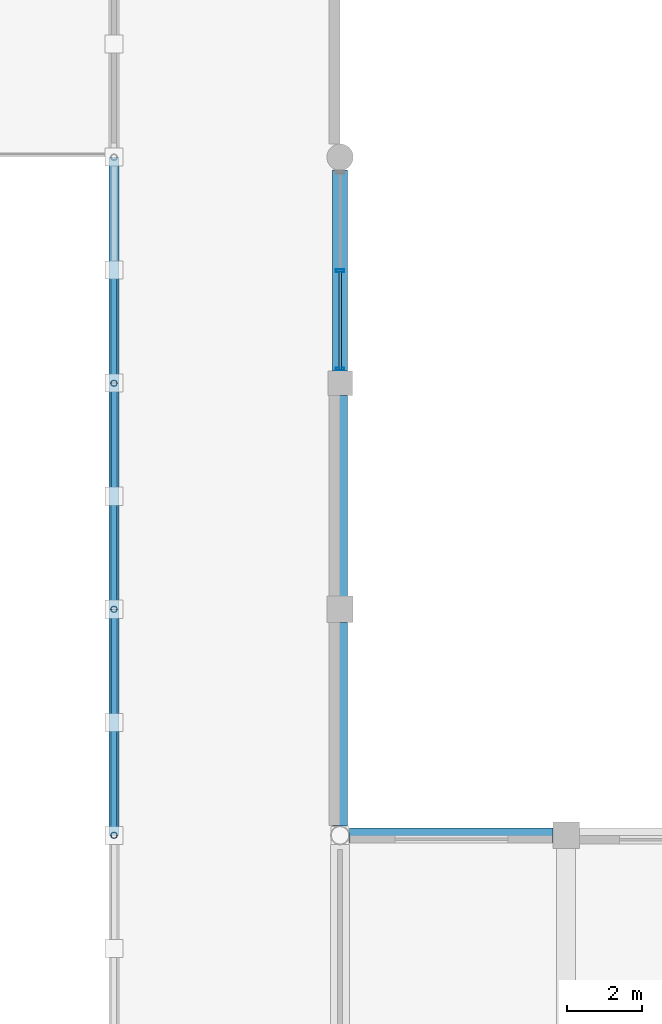
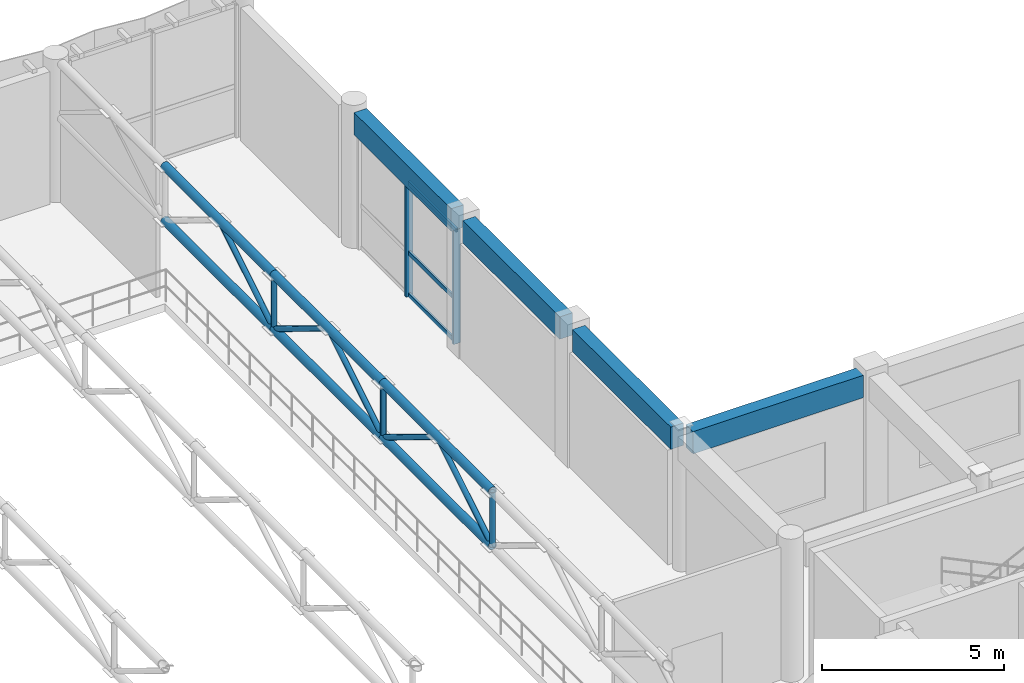
# One storey, part 45 of 123: 19 members, 4 beams, 1 element without a shape of its own.
"""IFC4 building model written with IfcOpenShell, lengths in metres."""

from ifc_helpers import new_model, si_unit, direction, frame, origin, origin_2d, place, context, subcontext, project, spatial, rectangle, hollow_rectangle, hollow_circle, extrude, material, material_profile, profile_set, type_object, element, aggregate, save


model = new_model("IFC4")

# Units and contexts
model_context = context("Model", 3, precision=1e-05, world=origin(), true_north=direction((0.0, 1.0)))
body_context = subcontext(model_context, "Body", "Model", "MODEL_VIEW")
ifc_project = project(units=[si_unit("LENGTHUNIT", "METRE"), si_unit("AREAUNIT", "SQUARE_METRE"), si_unit("VOLUMEUNIT", "CUBIC_METRE"), si_unit("PLANEANGLEUNIT", "RADIAN"), si_unit("MASSUNIT", "GRAM", prefix="KILO"), si_unit("THERMODYNAMICTEMPERATUREUNIT", "KELVIN"), si_unit("POWERUNIT", "WATT")], contexts=[model_context])

# Site, building, storey
site_placement = place(None, origin())
site = spatial("IfcSite", under=ifc_project, at=site_placement, CompositionType="ELEMENT")
building_placement = place(site_placement, origin())
building = spatial("IfcBuilding", under=site, at=building_placement, Name="Phaisarnlok Congress Hotel", CompositionType="ELEMENT")
storey_placement = place(building_placement, frame((0.0, 0.0, 15.0)))
storey = spatial("IfcBuildingStorey", under=building, at=storey_placement, Name="L03", CompositionType="ELEMENT", Elevation=15.0)

# Curtain wall, members
ifc_material_1 = material(Name="Thermally Broken Unitised Aluminium & Low-E Glazing", Category="aluminium")
curtain_wall_type = type_object("IfcCurtainWallType", Name="CW-UNIT-27", PredefinedType="NOTDEFINED", material=ifc_material_1)
curtain_wall_placement = place(storey_placement, origin())
curtain_wall = element("IfcCurtainWall", 1, at=curtain_wall_placement, inside=storey, type_object=curtain_wall_type, Name="Unitised curtain wall CW-27 (L03)", PredefinedType="NOTDEFINED")
ifc_material_2 = material(Name="Anodised Aluminium Alloy 6063-T6", Category="aluminium")
ifc_material_profile_1 = material_profile(ifc_material_2, hollow_rectangle(XDim=0.074951171875, YDim=0.219970703125, WallThickness=0.0048828125, at=origin_2d()), Name="ALU-M 75x220x5")
ifc_profile_set_1 = profile_set([ifc_material_profile_1], Name="Anodised Aluminium Alloy 6063-T6")
member_type_1 = type_object("IfcMemberType", Name="CWM-220", PredefinedType="MULLION", material=ifc_profile_set_1)
member_1_placement = place(storey_placement, frame((42.0, 108.375, 0.0), z_axis=(0.0, 0.0, 1.0), x_axis=(0.0, 1.0, 0.0)))
member_1 = element("IfcMember", 2, at=member_1_placement, type_object=member_type_1, Name="Curtain wall mullion CWM-02", PredefinedType="MULLION", context=body_context, shape_type="SweptSolid", body=[
    extrude(hollow_rectangle(XDim=0.074951171875, YDim=0.219970703125, WallThickness=0.0048828125, at=origin_2d()), origin(), (0.0, 0.0, 1.0), 3.844970703125),
])
member_2_placement = place(storey_placement, frame((42.0, 110.987548828125, 0.0), z_axis=(0.0, 0.0, 1.0), x_axis=(0.0, 1.0, 0.0)))
member_2 = element("IfcMember", 3, at=member_2_placement, type_object=member_type_1, Name="Curtain wall mullion CWM-02", PredefinedType="MULLION", context=body_context, shape_type="SweptSolid", body=[
    extrude(hollow_rectangle(XDim=0.074951171875, YDim=0.219970703125, WallThickness=0.0048828125, at=origin_2d()), origin(), (0.0, 0.0, 1.0), 3.844970703125),
])
ifc_material_profile_2 = material_profile(ifc_material_2, hollow_rectangle(XDim=0.06494140625, YDim=0.139892578125, WallThickness=0.00390625, at=origin_2d()), Name="ALU-T 65x140x4")
ifc_profile_set_2 = profile_set([ifc_material_profile_2], Name="Anodised Aluminium Alloy 6063-T6")
member_type_2 = type_object("IfcMemberType", Name="CWT-150", PredefinedType="USERDEFINED", material=ifc_profile_set_2)
member_3_placement = place(storey_placement, frame((42.0, 108.35009765625, 0.050048828125), z_axis=(0.0, 1.0, 0.0), x_axis=(-1.0, 0.0, 0.0)))
member_3 = element("IfcMember", 4, at=member_3_placement, type_object=member_type_2, Name="Curtain wall transom CWT-01", ObjectType="TRANSOM", PredefinedType="USERDEFINED", context=body_context, shape_type="SweptSolid", body=[
    extrude(hollow_rectangle(XDim=0.06494140625, YDim=0.139892578125, WallThickness=0.00390625, at=origin_2d()), origin(), (0.0, 0.0, 1.0), 2.622314453125),
])
member_4_placement = place(storey_placement, frame((42.0, 108.35009765625, 1.461181640625), z_axis=(0.0, 1.0, 0.0), x_axis=(-1.0, 0.0, 0.0)))
member_4 = element("IfcMember", 5, at=member_4_placement, type_object=member_type_2, Name="Curtain wall transom CWT-01", ObjectType="TRANSOM", PredefinedType="USERDEFINED", context=body_context, shape_type="SweptSolid", body=[
    extrude(hollow_rectangle(XDim=0.06494140625, YDim=0.139892578125, WallThickness=0.00390625, at=origin_2d()), origin(), (0.0, 0.0, 1.0), 2.622314453125),
])
member_5_placement = place(storey_placement, frame((42.0, 108.35009765625, 3.794921875), z_axis=(0.0, 1.0, 0.0), x_axis=(-1.0, 0.0, 0.0)))
member_5 = element("IfcMember", 6, at=member_5_placement, type_object=member_type_2, Name="Curtain wall transom CWT-01", ObjectType="TRANSOM", PredefinedType="USERDEFINED", context=body_context, shape_type="SweptSolid", body=[
    extrude(hollow_rectangle(XDim=0.06494140625, YDim=0.139892578125, WallThickness=0.00390625, at=origin_2d()), origin(), (0.0, 0.0, 1.0), 2.622314453125),
])
aggregate(curtain_wall, [member_1, member_2, member_3, member_4, member_5])

# Members
ifc_material_3 = material(Name="Steel S355", Category="steel")
ifc_material_profile_3 = material_profile(ifc_material_3, hollow_circle(Radius=0.084228515625, WallThickness=0.010009765625, at=origin_2d()), Name="CHS 168.3x10")
ifc_profile_set_3 = profile_set([ifc_material_profile_3], Name="Steel S355")
member_type_3 = type_object("IfcMemberType", Name="MEM-BRC-CHS168", PredefinedType="BRACE", material=ifc_profile_set_3)
member_6_placement = place(storey_placement, frame((36.0, 96.0, 2.800048828125), z_axis=(0.0, 0.0, 1.0), x_axis=(1.0, 0.0, 0.0)))
element("IfcMember", 7, at=member_6_placement, inside=storey, type_object=member_type_3, Name="Spa pavilion truss vertical TB-01", PredefinedType="BRACE", context=body_context, shape_type="SweptSolid", body=[
    extrude(hollow_circle(Radius=0.084228515625, WallThickness=0.010009765625, at=origin_2d()), origin(), (0.0, 0.0, 1.0), 1.829833984375),
])
for number, where, z_axis, x_axis, name in (
    (8, (36.0, 96.0, 2.800048828125), (0.0, 0.853724612577, 0.520724769797), (-1.0, 0.0, 0.0), "Spa pavilion truss diagonal TB-01"),
    (9, (36.0, 102.0, 2.800048828125), (0.0, -0.853724612577, 0.520724769797), (1.0, 0.0, 0.0), "Spa pavilion truss diagonal TB-01"),
):
    element("IfcMember", number, at=place(storey_placement, frame(where, z_axis=z_axis, x_axis=x_axis)), inside=storey, type_object=member_type_3, Name=name, PredefinedType="BRACE", context=body_context, shape_type="SweptSolid", body=[
        extrude(hollow_circle(Radius=0.084228515625, WallThickness=0.010009765625, at=origin_2d()), origin(), (0.0, 0.0, 1.0), 3.513916015625),
    ])
member_7_placement = place(storey_placement, frame((36.0, 102.0, 2.800048828125), z_axis=(0.0, 0.0, 1.0), x_axis=(1.0, 0.0, 0.0)))
element("IfcMember", 10, at=member_7_placement, inside=storey, type_object=member_type_3, Name="Spa pavilion truss vertical TB-01", PredefinedType="BRACE", context=body_context, shape_type="SweptSolid", body=[
    extrude(hollow_circle(Radius=0.084228515625, WallThickness=0.010009765625, at=origin_2d()), origin(), (0.0, 0.0, 1.0), 1.829833984375),
])
for number, where, z_axis, x_axis, name in (
    (11, (36.0, 102.0, 2.800048828125), (0.0, 0.853724612577, 0.520724769797), (-1.0, 0.0, 0.0), "Spa pavilion truss diagonal TB-01"),
    (12, (36.0, 108.0, 2.800048828125), (0.0, -0.853724612577, 0.520724769797), (1.0, 0.0, 0.0), "Spa pavilion truss diagonal TB-01"),
):
    element("IfcMember", number, at=place(storey_placement, frame(where, z_axis=z_axis, x_axis=x_axis)), inside=storey, type_object=member_type_3, Name=name, PredefinedType="BRACE", context=body_context, shape_type="SweptSolid", body=[
        extrude(hollow_circle(Radius=0.084228515625, WallThickness=0.010009765625, at=origin_2d()), origin(), (0.0, 0.0, 1.0), 3.513916015625),
    ])
member_8_placement = place(storey_placement, frame((36.0, 108.0, 2.800048828125), z_axis=(0.0, 0.0, 1.0), x_axis=(1.0, 0.0, 0.0)))
element("IfcMember", 13, at=member_8_placement, inside=storey, type_object=member_type_3, Name="Spa pavilion truss vertical TB-01", PredefinedType="BRACE", context=body_context, shape_type="SweptSolid", body=[
    extrude(hollow_circle(Radius=0.084228515625, WallThickness=0.010009765625, at=origin_2d()), origin(), (0.0, 0.0, 1.0), 1.829833984375),
])
member_9_placement = place(storey_placement, frame((36.0, 108.0, 2.800048828125), z_axis=(0.0, 0.853724612577, 0.520724769797), x_axis=(-1.0, 0.0, 0.0)))
element("IfcMember", 14, at=member_9_placement, inside=storey, type_object=member_type_3, Name="Spa pavilion truss diagonal TB-01", PredefinedType="BRACE", context=body_context, shape_type="SweptSolid", body=[
    extrude(hollow_circle(Radius=0.084228515625, WallThickness=0.010009765625, at=origin_2d()), origin(), (0.0, 0.0, 1.0), 3.513916015625),
])
ifc_material_profile_4 = material_profile(ifc_material_3, hollow_circle(Radius=0.136474609375, WallThickness=0.01611328125, at=origin_2d()), Name="CHS 273x16")
ifc_profile_set_4 = profile_set([ifc_material_profile_4], Name="Steel S355")
member_type_4 = type_object("IfcMemberType", Name="MEM-CHD-CHS273", PredefinedType="CHORD", material=ifc_profile_set_4)
for number, where, z_axis, x_axis, name in (
    (15, (36.0, 96.0, 4.6298828125), (0.0, 1.0, 0.0), (-1.0, 0.0, 0.0), "Spa pavilion truss top chord TC-03"),
    (16, (36.0, 96.0, 2.800048828125), (0.0, 1.0, 0.0), (-1.0, 0.0, 0.0), "Spa pavilion truss bottom chord TC-03"),
    (17, (36.0, 102.0, 4.6298828125), (0.0, 1.0, 0.0), (-1.0, 0.0, 0.0), "Spa pavilion truss top chord TC-03"),
    (18, (36.0, 102.0, 2.800048828125), (0.0, 1.0, 0.0), (-1.0, 0.0, 0.0), "Spa pavilion truss bottom chord TC-03"),
    (19, (36.0, 108.0, 4.6298828125), (0.0, 1.0, 0.0), (-1.0, 0.0, 0.0), "Spa pavilion truss top chord TC-03"),
    (20, (36.0, 108.0, 2.800048828125), (0.0, 1.0, 0.0), (-1.0, 0.0, 0.0), "Spa pavilion truss bottom chord TC-03"),
):
    element("IfcMember", number, at=place(storey_placement, frame(where, z_axis=z_axis, x_axis=x_axis)), inside=storey, type_object=member_type_4, Name=name, PredefinedType="CHORD", context=body_context, shape_type="SweptSolid", body=[
        extrude(hollow_circle(Radius=0.136474609375, WallThickness=0.01611328125, at=origin_2d()), origin(), (0.0, 0.0, 1.0), 6.0),
    ])

# Beams
ifc_material_4 = material(Name="Concrete C40/50", Category="concrete")
ifc_material_profile_5 = material_profile(ifc_material_4, rectangle(XDim=0.39990234375, YDim=0.75, at=origin_2d()), Name="RC 400x750")
ifc_profile_set_5 = profile_set([ifc_material_profile_5], Name="Concrete C40/50")
beam_type = type_object("IfcBeamType", Name="SP-RC-400x750", PredefinedType="SPANDREL", material=ifc_profile_set_5)
for number, where, z_axis, x_axis, name in (
    (21, (42.2490234375, 96.0, 4.18505859375), (1.0, 0.0, 0.0), (0.0, 1.0, 0.0), "Beam SP-02"),
    (22, (42.0, 96.2490234375, 4.219970703125), (0.0, 1.0, 0.0), (-1.0, 0.0, 0.0), "Beam SP-02"),
):
    element("IfcBeam", number, at=place(storey_placement, frame(where, z_axis=z_axis, x_axis=x_axis)), inside=storey, type_object=beam_type, Name=name, PredefinedType="SPANDREL", context=body_context, shape_type="SweptSolid", body=[
        extrude(rectangle(XDim=0.39990234375, YDim=0.75, at=origin_2d()), origin(), (0.0, 0.0, 1.0), 5.406005859375),
    ])
for number, where, z_axis, x_axis, name in (
    (23, (42.0, 102.344970703125, 4.219970703125), (0.0, 1.0, 0.0), (-1.0, 0.0, 0.0), "Beam SP-02"),
    (24, (42.0, 108.320068359375, 4.219970703125), (0.0, 1.0, 0.0), (-1.0, 0.0, 0.0), "Beam SP-02"),
):
    element("IfcBeam", number, at=place(storey_placement, frame(where, z_axis=z_axis, x_axis=x_axis)), inside=storey, type_object=beam_type, Name=name, PredefinedType="SPANDREL", context=body_context, shape_type="SweptSolid", body=[
        extrude(rectangle(XDim=0.39990234375, YDim=0.75, at=origin_2d()), origin(), (0.0, 0.0, 1.0), 5.3349609375),
    ])

save(model, "model.ifc")
